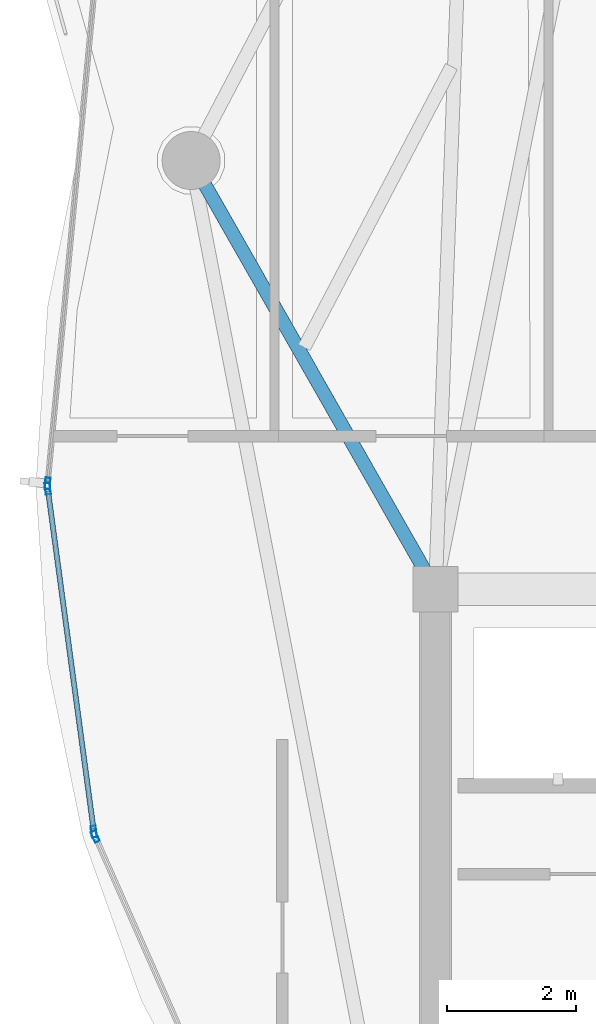
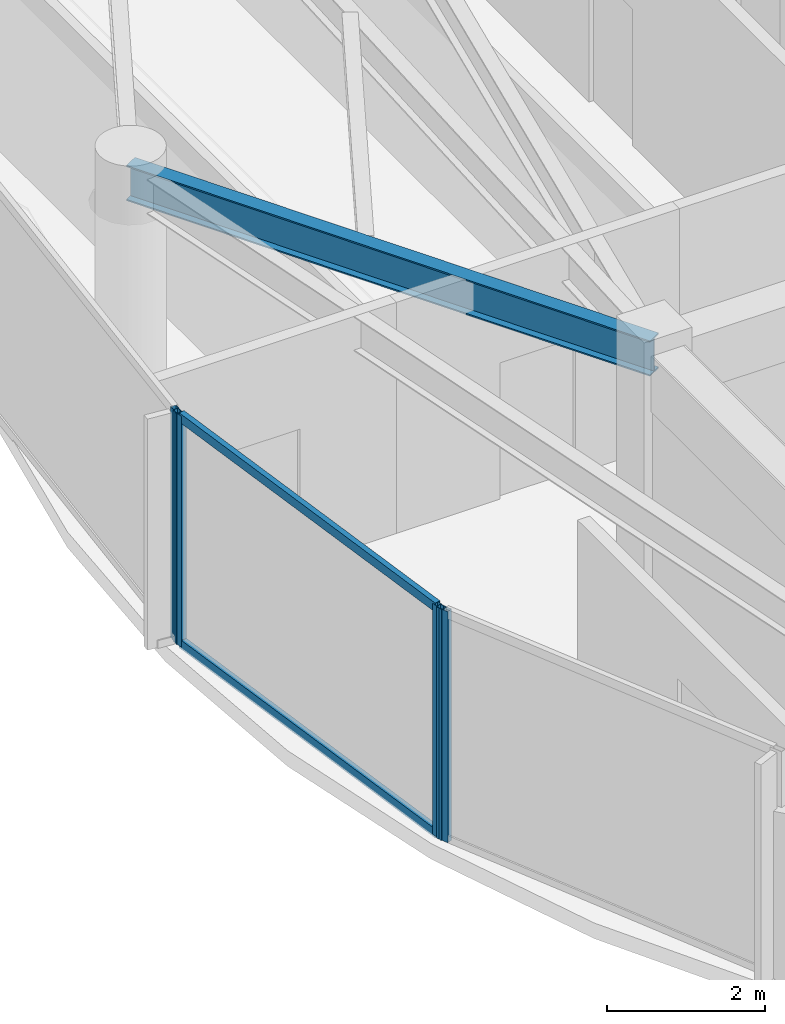
# One storey, part 7 of 22: 6 members, 1 beam, 3 elements without a shape of their own.
"""IFC4 building model written with IfcOpenShell, lengths in metres."""

from ifc_helpers import new_model, si_unit, direction, frame, origin, origin_2d, place, context, subcontext, project, spatial, hollow_rectangle, i_section, extrude, material, layer, layer_set, material_profile, profile_set, type_object, element, aggregate, save


model = new_model("IFC4")

# Units and contexts
model_context = context("Model", 3, precision=1e-05, world=origin(), true_north=direction((0.0, 1.0)))
body_context = subcontext(model_context, "Body", "Model", "MODEL_VIEW")
ifc_project = project(units=[si_unit("LENGTHUNIT", "METRE"), si_unit("AREAUNIT", "SQUARE_METRE"), si_unit("VOLUMEUNIT", "CUBIC_METRE"), si_unit("PLANEANGLEUNIT", "RADIAN"), si_unit("MASSUNIT", "GRAM", prefix="KILO")], contexts=[model_context])

# Site, building, storey
site_placement = place(None, origin())
site = spatial("IfcSite", under=ifc_project, at=site_placement, CompositionType="ELEMENT")
building_placement = place(site_placement, origin())
building = spatial("IfcBuilding", under=site, at=building_placement, Name="Kazevale Care Tower and Concert Hall", CompositionType="ELEMENT")
storey_placement = place(building_placement, frame((0.0, 0.0, 273.800048828125)))
storey = spatial("IfcBuildingStorey", under=building, at=storey_placement, Name="L72", CompositionType="ELEMENT", Elevation=273.800048828125)

# Curtain wall, member
ifc_material_1 = material(Name="Aluminium 6063-T6 and Low-E Glass", Category="aluminium")
ifc_layer = layer(ifc_material_1, 0.179931640625)
ifc_layer_set = layer_set([ifc_layer], Name="Aluminium 6063-T6 and Low-E Glass")
curtain_wall_type = type_object("IfcCurtainWallType", Name="Waist & Upper Residential Curtain Wall CW-4", PredefinedType="NOTDEFINED", material=ifc_layer_set)
curtain_wall_1_placement = place(storey_placement, origin())
curtain_wall_1 = element("IfcCurtainWall", 1, at=curtain_wall_1_placement, inside=storey, type_object=curtain_wall_type, Name="cw:L72:f07", PredefinedType="NOTDEFINED")
ifc_material_2 = material(Name="Aluminium 6063-T6", Category="aluminium")
ifc_material_profile_1 = material_profile(ifc_material_2, hollow_rectangle(XDim=0.080078125, YDim=0.179931640625, WallThickness=0.0048828125, at=origin_2d()), Name="ALU80x180x5")
ifc_profile_set_1 = profile_set([ifc_material_profile_1], Name="Aluminium 6063-T6")
member_type_1 = type_object("IfcMemberType", Name="CW-4 Mullion ALU80x180x5", PredefinedType="MULLION", material=ifc_profile_set_1)
member_1_placement = place(storey_placement, frame((16.72216796875, 32.5634765625, 0.0), z_axis=(0.0, 0.0, 1.0), x_axis=(-0.914936245618, -0.403598397488, 0.0)))
member_1 = element("IfcMember", 2, at=member_1_placement, type_object=member_type_1, Name="CW-4 mullion 2", PredefinedType="MULLION", context=body_context, shape_type="SweptSolid", body=[
    extrude(hollow_rectangle(XDim=0.080078125, YDim=0.179931640625, WallThickness=0.0048828125, at=origin_2d()), origin(), (0.0, 0.0, 1.0), 3.56005859375),
])
aggregate(curtain_wall_1, [member_1])

# Curtain wall, members
curtain_wall_2_placement = place(storey_placement, origin())
curtain_wall_2 = element("IfcCurtainWall", 3, at=curtain_wall_2_placement, inside=storey, type_object=curtain_wall_type, Name="cw:L72:f08", PredefinedType="NOTDEFINED")
member_2_placement = place(storey_placement, frame((16.70068359375, 32.6396484375, 0.0), z_axis=(0.0, 0.0, 1.0), x_axis=(-0.991083047722, -0.133245609751, 0.0)))
member_2 = element("IfcMember", 4, at=member_2_placement, type_object=member_type_1, Name="CW-4 mullion 1", PredefinedType="MULLION", context=body_context, shape_type="SweptSolid", body=[
    extrude(hollow_rectangle(XDim=0.080078125, YDim=0.179931640625, WallThickness=0.0048828125, at=origin_2d()), origin(), (0.0, 0.0, 1.0), 3.56005859375),
])
member_3_placement = place(storey_placement, frame((15.9853515625, 37.96044921875, 0.0), z_axis=(0.0, 0.0, 1.0), x_axis=(-0.991083047722, -0.133245609751, 0.0)))
member_3 = element("IfcMember", 5, at=member_3_placement, type_object=member_type_1, Name="CW-4 mullion 2", PredefinedType="MULLION", context=body_context, shape_type="SweptSolid", body=[
    extrude(hollow_rectangle(XDim=0.080078125, YDim=0.179931640625, WallThickness=0.0048828125, at=origin_2d()), origin(), (0.0, 0.0, 1.0), 3.56005859375),
])

# Curtain wall, member
curtain_wall_3_placement = place(storey_placement, origin())
curtain_wall_3 = element("IfcCurtainWall", 6, at=curtain_wall_3_placement, inside=storey, type_object=curtain_wall_type, Name="cw:L72:f09", PredefinedType="NOTDEFINED")
member_4_placement = place(storey_placement, frame((15.98388671875, 38.039794921875, 0.0), z_axis=(0.0, 0.0, 1.0), x_axis=(-0.995549708489, 0.094237879477, 0.0)))
member_4 = element("IfcMember", 7, at=member_4_placement, type_object=member_type_1, Name="CW-4 mullion 1", PredefinedType="MULLION", context=body_context, shape_type="SweptSolid", body=[
    extrude(hollow_rectangle(XDim=0.080078125, YDim=0.179931640625, WallThickness=0.0048828125, at=origin_2d()), origin(), (0.0, 0.0, 1.0), 3.56005859375),
])
aggregate(curtain_wall_3, [member_4])

# Member
ifc_material_profile_2 = material_profile(ifc_material_2, hollow_rectangle(XDim=0.080078125, YDim=0.139892578125, WallThickness=0.00390625, at=origin_2d()), Name="ALU80x140x4")
ifc_profile_set_2 = profile_set([ifc_material_profile_2], Name="Aluminium 6063-T6")
member_type_2 = type_object("IfcMemberType", Name="CW-4 Transom ALU80x140x4", PredefinedType="USERDEFINED", material=ifc_profile_set_2)
member_5_placement = place(storey_placement, frame((16.6953125, 32.67919921875, 0.0400390625), z_axis=(-0.133228026352, 0.991085411554, 0.0), x_axis=(-0.991085411554, -0.133228026352, 0.0)))
member_5 = element("IfcMember", 8, at=member_5_placement, type_object=member_type_2, Name="CW-4 transom 1.1", ObjectType="TRANSOM", PredefinedType="USERDEFINED", context=body_context, shape_type="SweptSolid", body=[
    extrude(hollow_rectangle(XDim=0.080078125, YDim=0.139892578125, WallThickness=0.00390625, at=origin_2d()), origin(), (0.0, 0.0, 1.0), 5.28857421875),
])

member_6_placement = place(storey_placement, frame((16.6953125, 32.67919921875, 3.52001953125), z_axis=(-0.133228026352, 0.991085411554, 0.0), x_axis=(-0.991085411554, -0.133228026352, 0.0)))
member_6 = element("IfcMember", 9, at=member_6_placement, type_object=member_type_2, Name="CW-4 transom 1.2", ObjectType="TRANSOM", PredefinedType="USERDEFINED", context=body_context, shape_type="SweptSolid", body=[
    extrude(hollow_rectangle(XDim=0.080078125, YDim=0.139892578125, WallThickness=0.00390625, at=origin_2d()), origin(), (0.0, 0.0, 1.0), 5.28857421875),
])

aggregate(curtain_wall_2, [member_2, member_3, member_5, member_6])

# Beam
ifc_material_3 = material(Name="Steel ASTM A572 Gr 50", Category="steel")
ifc_material_profile_3 = material_profile(ifc_material_3, i_section(OverallWidth=0.2119140625, OverallDepth=0.5439453125, WebThickness=0.01318359375, FlangeThickness=0.021240234375, at=origin_2d()), Name="W530x123")
ifc_profile_set_3 = profile_set([ifc_material_profile_3], Name="Steel ASTM A572 Gr 50")
beam_type = type_object("IfcBeamType", Name="Radial Floor Girder W530x123", PredefinedType="BEAM", material=ifc_profile_set_3)
beam_placement = place(storey_placement, frame((22.0, 36.39990234375, 3.287841796875), z_axis=(-0.495149357892, 0.868807869082, 0.0), x_axis=(-0.868807869082, -0.495149357892, 0.0)))
element("IfcBeam", 10, at=beam_placement, inside=storey, type_object=beam_type, Name="beam:L72:rad:09", PredefinedType="BEAM", context=body_context, shape_type="SweptSolid", body=[
    extrude(i_section(OverallWidth=0.2119140625, OverallDepth=0.5439453125, WebThickness=0.01318359375, FlangeThickness=0.021240234375, at=origin_2d()), origin(), (0.0, 0.0, 1.0), 7.654296875),
])

save(model, "model.ifc")
